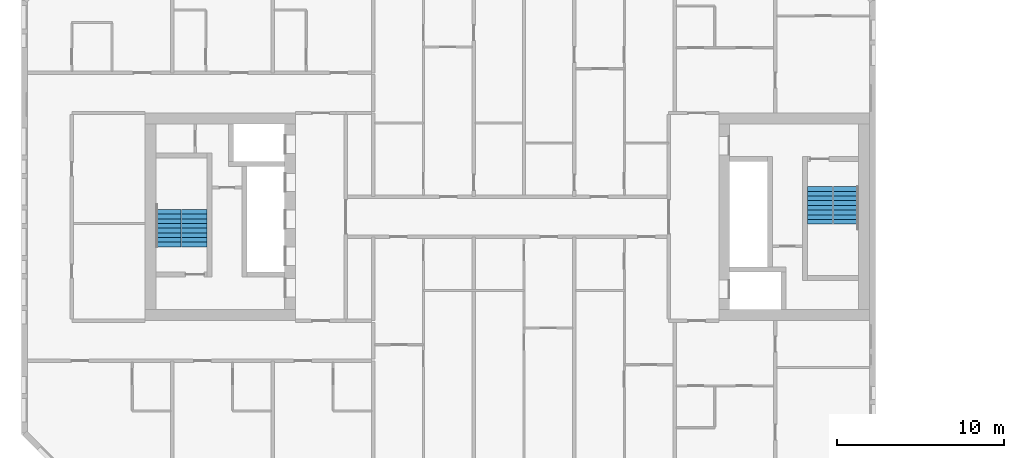
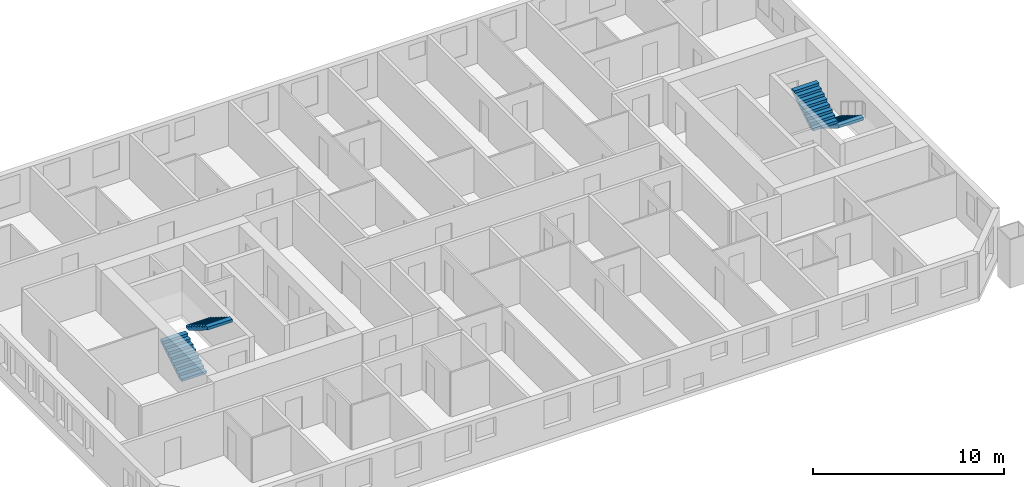
# One storey, part 16 of 17: 4 stair flights, 2 elements without a shape of their own.
"""IFC4 building model written with IfcOpenShell, lengths in metres."""

from ifc_helpers import new_model, si_unit, direction, frame, origin, place, context, subcontext, project, spatial, faceted_brep, material, type_object, element, aggregate, save


model = new_model("IFC4")

# Units and contexts
model_context = context("Model", 3, precision=1e-05, world=origin(), true_north=direction((0.0, 1.0)))
body_context = subcontext(model_context, "Body", "Model", "MODEL_VIEW")
ifc_project = project(units=[si_unit("LENGTHUNIT", "METRE"), si_unit("AREAUNIT", "SQUARE_METRE"), si_unit("VOLUMEUNIT", "CUBIC_METRE"), si_unit("PLANEANGLEUNIT", "RADIAN"), si_unit("MASSUNIT", "GRAM", prefix="KILO")], contexts=[model_context])

# Site, building, storey
site_placement = place(None, origin())
site = spatial("IfcSite", under=ifc_project, at=site_placement, CompositionType="ELEMENT")
building_placement = place(site_placement, origin())
building = spatial("IfcBuilding", under=site, at=building_placement, Name="Tuart Gate Housing", CompositionType="ELEMENT")
storey_placement = place(building_placement, frame((0.0, 0.0, 108.800048828125)))
storey = spatial("IfcBuildingStorey", under=building, at=storey_placement, Name="L30", CompositionType="ELEMENT", Elevation=108.800048828125)

# Stair, stair flights
ifc_material_1 = material(Name="Concrete C40", Category="concrete")
stair_type = type_object("IfcStairType", Name="Core stair 1500", PredefinedType="HALF_TURN_STAIR", material=ifc_material_1)
stair_1_placement = place(storey_placement, origin())
stair_1 = element("IfcStair", 1, at=stair_1_placement, inside=storey, type_object=stair_type, Name="Stair SA1", PredefinedType="HALF_TURN_STAIR")
ifc_material_2 = material(Name="Concrete C40", Category="concrete")
stair_flight_type = type_object("IfcStairFlightType", Name="Stair flight 1500, 9 risers 172 x 280", PredefinedType="STRAIGHT", material=ifc_material_2)
stair_flight_1_placement = place(storey_placement, frame((74.239990234375, 71.800048828125, 0.0), z_axis=(0.0, 0.0, 1.0), x_axis=(0.0, -1.0, 0.0)))
stair_flight_1 = element("IfcStairFlight", 2, at=stair_flight_1_placement, type_object=stair_flight_type, Name="SA1 flight 1", NumberOfRisers=9, NumberOfTreads=8, PredefinedType="STRAIGHT", RiserHeight=0.172222222, TreadLength=0.28, context=body_context, shape_type="Brep", body=[
    faceted_brep([(0.0, 0.75, 0.0), (0.0, 0.75, 0.172119140625), (0.280029296875, 0.75, 0.172119140625), (0.280029296875, 0.75, 0.344482421875), (0.56005859375, 0.75, 0.344482421875), (0.56005859375, 0.75, 0.5166015625), (0.840087890625, 0.75, 0.5166015625), (0.840087890625, 0.75, 0.68896484375), (1.1201171875, 0.75, 0.68896484375), (1.1201171875, 0.75, 0.861083984375), (1.39990234375, 0.75, 0.861083984375), (1.39990234375, 0.75, 1.033447265625), (1.679931640625, 0.75, 1.033447265625), (1.679931640625, 0.75, 1.20556640625), (1.9599609375, 0.75, 1.20556640625), (1.9599609375, 0.75, 1.377685546875), (2.239990234375, 0.75, 1.377685546875), (2.239990234375, 0.75, 1.201904296875), (0.2861328125, 0.75, 0.0), (0.2861328125, -0.75, 0.0), (2.239990234375, -0.75, 1.201904296875), (2.239990234375, -0.75, 1.377685546875), (1.9599609375, -0.75, 1.377685546875), (1.9599609375, -0.75, 1.20556640625), (1.679931640625, -0.75, 1.20556640625), (1.679931640625, -0.75, 1.033447265625), (1.39990234375, -0.75, 1.033447265625), (1.39990234375, -0.75, 0.861083984375), (1.1201171875, -0.75, 0.861083984375), (1.1201171875, -0.75, 0.68896484375), (0.840087890625, -0.75, 0.68896484375), (0.840087890625, -0.75, 0.5166015625), (0.56005859375, -0.75, 0.5166015625), (0.56005859375, -0.75, 0.344482421875), (0.280029296875, -0.75, 0.344482421875), (0.280029296875, -0.75, 0.172119140625), (0.0, -0.75, 0.172119140625), (0.0, -0.75, 0.0), (2.239990234375, 0.0, 1.201904296875), (0.2861328125, 0.0, 0.0), (2.239990234375, 0.0, 1.377685546875), (1.9599609375, 0.0, 1.377685546875), (1.9599609375, 0.0, 1.20556640625), (1.679931640625, 0.0, 1.20556640625), (1.679931640625, 0.0, 1.033447265625), (1.39990234375, 0.0, 1.033447265625), (1.39990234375, 0.0, 0.861083984375), (1.1201171875, 0.0, 0.861083984375), (1.1201171875, 0.0, 0.68896484375), (0.840087890625, 0.0, 0.68896484375), (0.840087890625, 0.0, 0.5166015625), (0.56005859375, 0.0, 0.5166015625), (0.56005859375, 0.0, 0.344482421875), (0.280029296875, 0.0, 0.344482421875), (0.280029296875, 0.0, 0.172119140625), (0.0, 0.0, 0.172119140625), (0.0, 0.0, 0.0)], [[[0, 1, 2, 3, 4, 5, 6, 7, 8, 9, 10, 11, 12, 13, 14, 15, 16, 17, 18]], [[19, 20, 21, 22, 23, 24, 25, 26, 27, 28, 29, 30, 31, 32, 33, 34, 35, 36, 37]], [[18, 17, 38, 39]], [[39, 38, 20, 19]], [[17, 16, 40, 38]], [[38, 40, 21, 20]], [[16, 15, 41, 40]], [[40, 41, 22, 21]], [[15, 14, 42, 41]], [[41, 42, 23, 22]], [[14, 13, 43, 42]], [[42, 43, 24, 23]], [[13, 12, 44, 43]], [[43, 44, 25, 24]], [[12, 11, 45, 44]], [[44, 45, 26, 25]], [[11, 10, 46, 45]], [[45, 46, 27, 26]], [[10, 9, 47, 46]], [[46, 47, 28, 27]], [[9, 8, 48, 47]], [[47, 48, 29, 28]], [[8, 7, 49, 48]], [[48, 49, 30, 29]], [[7, 6, 50, 49]], [[49, 50, 31, 30]], [[6, 5, 51, 50]], [[50, 51, 32, 31]], [[5, 4, 52, 51]], [[51, 52, 33, 32]], [[4, 3, 53, 52]], [[52, 53, 34, 33]], [[3, 2, 54, 53]], [[53, 54, 35, 34]], [[2, 1, 55, 54]], [[54, 55, 36, 35]], [[1, 0, 56, 55]], [[55, 56, 37, 36]], [[0, 18, 39, 56]], [[56, 39, 19, 37]]]),
])
stair_flight_2_placement = place(storey_placement, frame((72.68994140625, 69.56005859375, 1.550048828125), z_axis=(0.0, 0.0, 1.0), x_axis=(0.0, 1.0, 0.0)))
stair_flight_2 = element("IfcStairFlight", 3, at=stair_flight_2_placement, type_object=stair_flight_type, Name="SA1 flight 2", NumberOfRisers=9, NumberOfTreads=8, PredefinedType="STRAIGHT", RiserHeight=0.172222222, TreadLength=0.28, context=body_context, shape_type="Brep", body=[
    faceted_brep([(0.0, 0.75, 0.0), (0.0, 0.75, 0.172119140625), (0.280029296875, 0.75, 0.172119140625), (0.280029296875, 0.75, 0.344482421875), (0.56005859375, 0.75, 0.344482421875), (0.56005859375, 0.75, 0.5166015625), (0.840087890625, 0.75, 0.5166015625), (0.840087890625, 0.75, 0.68896484375), (1.1201171875, 0.75, 0.68896484375), (1.1201171875, 0.75, 0.861083984375), (1.39990234375, 0.75, 0.861083984375), (1.39990234375, 0.75, 1.033447265625), (1.679931640625, 0.75, 1.033447265625), (1.679931640625, 0.75, 1.20556640625), (1.9599609375, 0.75, 1.20556640625), (1.9599609375, 0.75, 1.377685546875), (2.239990234375, 0.75, 1.377685546875), (2.239990234375, 0.75, 1.201904296875), (0.2861328125, 0.75, 0.0), (0.2861328125, -0.75, 0.0), (2.239990234375, -0.75, 1.201904296875), (2.239990234375, -0.75, 1.377685546875), (1.9599609375, -0.75, 1.377685546875), (1.9599609375, -0.75, 1.20556640625), (1.679931640625, -0.75, 1.20556640625), (1.679931640625, -0.75, 1.033447265625), (1.39990234375, -0.75, 1.033447265625), (1.39990234375, -0.75, 0.861083984375), (1.1201171875, -0.75, 0.861083984375), (1.1201171875, -0.75, 0.68896484375), (0.840087890625, -0.75, 0.68896484375), (0.840087890625, -0.75, 0.5166015625), (0.56005859375, -0.75, 0.5166015625), (0.56005859375, -0.75, 0.344482421875), (0.280029296875, -0.75, 0.344482421875), (0.280029296875, -0.75, 0.172119140625), (0.0, -0.75, 0.172119140625), (0.0, -0.75, 0.0), (2.239990234375, 0.0, 1.201904296875), (0.2861328125, 0.0, 0.0), (2.239990234375, 0.0, 1.377685546875), (1.9599609375, 0.0, 1.377685546875), (1.9599609375, 0.0, 1.20556640625), (1.679931640625, 0.0, 1.20556640625), (1.679931640625, 0.0, 1.033447265625), (1.39990234375, 0.0, 1.033447265625), (1.39990234375, 0.0, 0.861083984375), (1.1201171875, 0.0, 0.861083984375), (1.1201171875, 0.0, 0.68896484375), (0.840087890625, 0.0, 0.68896484375), (0.840087890625, 0.0, 0.5166015625), (0.56005859375, 0.0, 0.5166015625), (0.56005859375, 0.0, 0.344482421875), (0.280029296875, 0.0, 0.344482421875), (0.280029296875, 0.0, 0.172119140625), (0.0, 0.0, 0.172119140625), (0.0, 0.0, 0.0)], [[[0, 1, 2, 3, 4, 5, 6, 7, 8, 9, 10, 11, 12, 13, 14, 15, 16, 17, 18]], [[19, 20, 21, 22, 23, 24, 25, 26, 27, 28, 29, 30, 31, 32, 33, 34, 35, 36, 37]], [[18, 17, 38, 39]], [[39, 38, 20, 19]], [[17, 16, 40, 38]], [[38, 40, 21, 20]], [[16, 15, 41, 40]], [[40, 41, 22, 21]], [[15, 14, 42, 41]], [[41, 42, 23, 22]], [[14, 13, 43, 42]], [[42, 43, 24, 23]], [[13, 12, 44, 43]], [[43, 44, 25, 24]], [[12, 11, 45, 44]], [[44, 45, 26, 25]], [[11, 10, 46, 45]], [[45, 46, 27, 26]], [[10, 9, 47, 46]], [[46, 47, 28, 27]], [[9, 8, 48, 47]], [[47, 48, 29, 28]], [[8, 7, 49, 48]], [[48, 49, 30, 29]], [[7, 6, 50, 49]], [[49, 50, 31, 30]], [[6, 5, 51, 50]], [[50, 51, 32, 31]], [[5, 4, 52, 51]], [[51, 52, 33, 32]], [[4, 3, 53, 52]], [[52, 53, 34, 33]], [[3, 2, 54, 53]], [[53, 54, 35, 34]], [[2, 1, 55, 54]], [[54, 55, 36, 35]], [[1, 0, 56, 55]], [[55, 56, 37, 36]], [[0, 18, 39, 56]], [[56, 39, 19, 37]]]),
])
aggregate(stair_1, [stair_flight_1, stair_flight_2])

stair_2_placement = place(storey_placement, origin())
stair_2 = element("IfcStair", 4, at=stair_2_placement, inside=storey, type_object=stair_type, Name="Stair SA2", PredefinedType="HALF_TURN_STAIR")
stair_flight_3_placement = place(storey_placement, frame((33.760009765625, 68.199951171875, 0.0), z_axis=(0.0, 0.0, 1.0), x_axis=(0.0, 1.0, 0.0)))
stair_flight_3 = element("IfcStairFlight", 5, at=stair_flight_3_placement, type_object=stair_flight_type, Name="SA2 flight 1", NumberOfRisers=9, NumberOfTreads=8, PredefinedType="STRAIGHT", RiserHeight=0.172222222, TreadLength=0.28, context=body_context, shape_type="Brep", body=[
    faceted_brep([(0.0, 0.75, 0.0), (0.0, 0.75, 0.172119140625), (0.280029296875, 0.75, 0.172119140625), (0.280029296875, 0.75, 0.344482421875), (0.56005859375, 0.75, 0.344482421875), (0.56005859375, 0.75, 0.5166015625), (0.840087890625, 0.75, 0.5166015625), (0.840087890625, 0.75, 0.68896484375), (1.1201171875, 0.75, 0.68896484375), (1.1201171875, 0.75, 0.861083984375), (1.39990234375, 0.75, 0.861083984375), (1.39990234375, 0.75, 1.033447265625), (1.679931640625, 0.75, 1.033447265625), (1.679931640625, 0.75, 1.20556640625), (1.9599609375, 0.75, 1.20556640625), (1.9599609375, 0.75, 1.377685546875), (2.239990234375, 0.75, 1.377685546875), (2.239990234375, 0.75, 1.201904296875), (0.2861328125, 0.75, 0.0), (0.2861328125, -0.75, 0.0), (2.239990234375, -0.75, 1.201904296875), (2.239990234375, -0.75, 1.377685546875), (1.9599609375, -0.75, 1.377685546875), (1.9599609375, -0.75, 1.20556640625), (1.679931640625, -0.75, 1.20556640625), (1.679931640625, -0.75, 1.033447265625), (1.39990234375, -0.75, 1.033447265625), (1.39990234375, -0.75, 0.861083984375), (1.1201171875, -0.75, 0.861083984375), (1.1201171875, -0.75, 0.68896484375), (0.840087890625, -0.75, 0.68896484375), (0.840087890625, -0.75, 0.5166015625), (0.56005859375, -0.75, 0.5166015625), (0.56005859375, -0.75, 0.344482421875), (0.280029296875, -0.75, 0.344482421875), (0.280029296875, -0.75, 0.172119140625), (0.0, -0.75, 0.172119140625), (0.0, -0.75, 0.0), (2.239990234375, 0.0, 1.201904296875), (0.2861328125, 0.0, 0.0), (2.239990234375, 0.0, 1.377685546875), (1.9599609375, 0.0, 1.377685546875), (1.9599609375, 0.0, 1.20556640625), (1.679931640625, 0.0, 1.20556640625), (1.679931640625, 0.0, 1.033447265625), (1.39990234375, 0.0, 1.033447265625), (1.39990234375, 0.0, 0.861083984375), (1.1201171875, 0.0, 0.861083984375), (1.1201171875, 0.0, 0.68896484375), (0.840087890625, 0.0, 0.68896484375), (0.840087890625, 0.0, 0.5166015625), (0.56005859375, 0.0, 0.5166015625), (0.56005859375, 0.0, 0.344482421875), (0.280029296875, 0.0, 0.344482421875), (0.280029296875, 0.0, 0.172119140625), (0.0, 0.0, 0.172119140625), (0.0, 0.0, 0.0)], [[[0, 1, 2, 3, 4, 5, 6, 7, 8, 9, 10, 11, 12, 13, 14, 15, 16, 17, 18]], [[19, 20, 21, 22, 23, 24, 25, 26, 27, 28, 29, 30, 31, 32, 33, 34, 35, 36, 37]], [[18, 17, 38, 39]], [[39, 38, 20, 19]], [[17, 16, 40, 38]], [[38, 40, 21, 20]], [[16, 15, 41, 40]], [[40, 41, 22, 21]], [[15, 14, 42, 41]], [[41, 42, 23, 22]], [[14, 13, 43, 42]], [[42, 43, 24, 23]], [[13, 12, 44, 43]], [[43, 44, 25, 24]], [[12, 11, 45, 44]], [[44, 45, 26, 25]], [[11, 10, 46, 45]], [[45, 46, 27, 26]], [[10, 9, 47, 46]], [[46, 47, 28, 27]], [[9, 8, 48, 47]], [[47, 48, 29, 28]], [[8, 7, 49, 48]], [[48, 49, 30, 29]], [[7, 6, 50, 49]], [[49, 50, 31, 30]], [[6, 5, 51, 50]], [[50, 51, 32, 31]], [[5, 4, 52, 51]], [[51, 52, 33, 32]], [[4, 3, 53, 52]], [[52, 53, 34, 33]], [[3, 2, 54, 53]], [[53, 54, 35, 34]], [[2, 1, 55, 54]], [[54, 55, 36, 35]], [[1, 0, 56, 55]], [[55, 56, 37, 36]], [[0, 18, 39, 56]], [[56, 39, 19, 37]]]),
])
stair_flight_4_placement = place(storey_placement, frame((35.31005859375, 70.43994140625, 1.550048828125), z_axis=(0.0, 0.0, 1.0), x_axis=(0.0, -1.0, 0.0)))
stair_flight_4 = element("IfcStairFlight", 6, at=stair_flight_4_placement, type_object=stair_flight_type, Name="SA2 flight 2", NumberOfRisers=9, NumberOfTreads=8, PredefinedType="STRAIGHT", RiserHeight=0.172222222, TreadLength=0.28, context=body_context, shape_type="Brep", body=[
    faceted_brep([(0.0, 0.75, 0.0), (0.0, 0.75, 0.172119140625), (0.280029296875, 0.75, 0.172119140625), (0.280029296875, 0.75, 0.344482421875), (0.56005859375, 0.75, 0.344482421875), (0.56005859375, 0.75, 0.5166015625), (0.840087890625, 0.75, 0.5166015625), (0.840087890625, 0.75, 0.68896484375), (1.1201171875, 0.75, 0.68896484375), (1.1201171875, 0.75, 0.861083984375), (1.39990234375, 0.75, 0.861083984375), (1.39990234375, 0.75, 1.033447265625), (1.679931640625, 0.75, 1.033447265625), (1.679931640625, 0.75, 1.20556640625), (1.9599609375, 0.75, 1.20556640625), (1.9599609375, 0.75, 1.377685546875), (2.239990234375, 0.75, 1.377685546875), (2.239990234375, 0.75, 1.201904296875), (0.2861328125, 0.75, 0.0), (0.2861328125, -0.75, 0.0), (2.239990234375, -0.75, 1.201904296875), (2.239990234375, -0.75, 1.377685546875), (1.9599609375, -0.75, 1.377685546875), (1.9599609375, -0.75, 1.20556640625), (1.679931640625, -0.75, 1.20556640625), (1.679931640625, -0.75, 1.033447265625), (1.39990234375, -0.75, 1.033447265625), (1.39990234375, -0.75, 0.861083984375), (1.1201171875, -0.75, 0.861083984375), (1.1201171875, -0.75, 0.68896484375), (0.840087890625, -0.75, 0.68896484375), (0.840087890625, -0.75, 0.5166015625), (0.56005859375, -0.75, 0.5166015625), (0.56005859375, -0.75, 0.344482421875), (0.280029296875, -0.75, 0.344482421875), (0.280029296875, -0.75, 0.172119140625), (0.0, -0.75, 0.172119140625), (0.0, -0.75, 0.0), (2.239990234375, 0.0, 1.201904296875), (0.2861328125, 0.0, 0.0), (2.239990234375, 0.0, 1.377685546875), (1.9599609375, 0.0, 1.377685546875), (1.9599609375, 0.0, 1.20556640625), (1.679931640625, 0.0, 1.20556640625), (1.679931640625, 0.0, 1.033447265625), (1.39990234375, 0.0, 1.033447265625), (1.39990234375, 0.0, 0.861083984375), (1.1201171875, 0.0, 0.861083984375), (1.1201171875, 0.0, 0.68896484375), (0.840087890625, 0.0, 0.68896484375), (0.840087890625, 0.0, 0.5166015625), (0.56005859375, 0.0, 0.5166015625), (0.56005859375, 0.0, 0.344482421875), (0.280029296875, 0.0, 0.344482421875), (0.280029296875, 0.0, 0.172119140625), (0.0, 0.0, 0.172119140625), (0.0, 0.0, 0.0)], [[[0, 1, 2, 3, 4, 5, 6, 7, 8, 9, 10, 11, 12, 13, 14, 15, 16, 17, 18]], [[19, 20, 21, 22, 23, 24, 25, 26, 27, 28, 29, 30, 31, 32, 33, 34, 35, 36, 37]], [[18, 17, 38, 39]], [[39, 38, 20, 19]], [[17, 16, 40, 38]], [[38, 40, 21, 20]], [[16, 15, 41, 40]], [[40, 41, 22, 21]], [[15, 14, 42, 41]], [[41, 42, 23, 22]], [[14, 13, 43, 42]], [[42, 43, 24, 23]], [[13, 12, 44, 43]], [[43, 44, 25, 24]], [[12, 11, 45, 44]], [[44, 45, 26, 25]], [[11, 10, 46, 45]], [[45, 46, 27, 26]], [[10, 9, 47, 46]], [[46, 47, 28, 27]], [[9, 8, 48, 47]], [[47, 48, 29, 28]], [[8, 7, 49, 48]], [[48, 49, 30, 29]], [[7, 6, 50, 49]], [[49, 50, 31, 30]], [[6, 5, 51, 50]], [[50, 51, 32, 31]], [[5, 4, 52, 51]], [[51, 52, 33, 32]], [[4, 3, 53, 52]], [[52, 53, 34, 33]], [[3, 2, 54, 53]], [[53, 54, 35, 34]], [[2, 1, 55, 54]], [[54, 55, 36, 35]], [[1, 0, 56, 55]], [[55, 56, 37, 36]], [[0, 18, 39, 56]], [[56, 39, 19, 37]]]),
])
aggregate(stair_2, [stair_flight_3, stair_flight_4])

save(model, "model.ifc")
